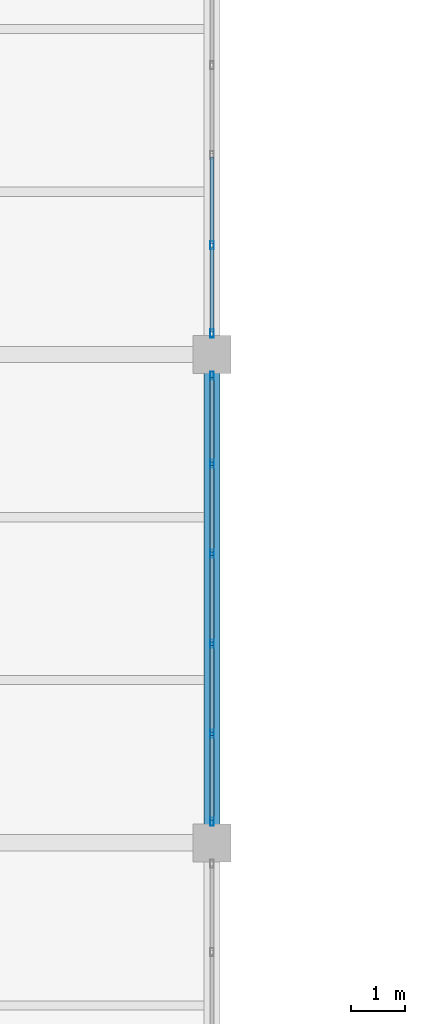
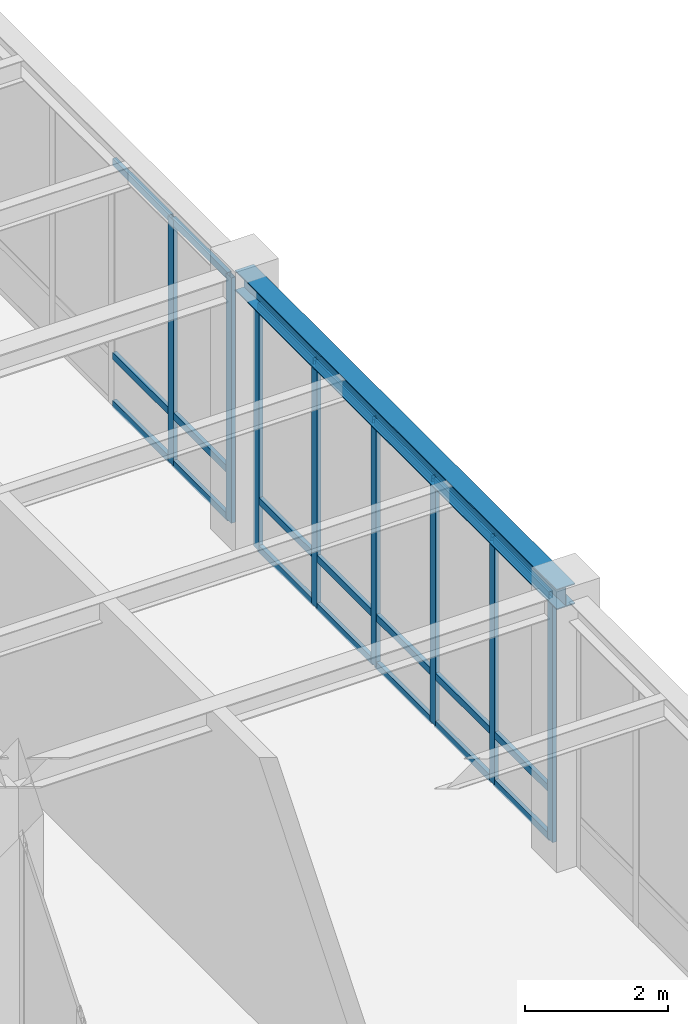
# One storey, part 53 of 92: 29 members, 1 beam, 2 elements without a shape of their own.
"""IFC4 building model written with IfcOpenShell, lengths in metres."""

from ifc_helpers import new_model, si_unit, direction, frame, origin, origin_2d, place, context, subcontext, project, spatial, hollow_rectangle, i_section, extrude, material, material_profile, profile_set, type_object, element, aggregate, save


model = new_model("IFC4")

# Units and contexts
model_context = context("Model", 3, precision=1e-05, world=origin(), true_north=direction((0.0, 1.0)))
body_context = subcontext(model_context, "Body", "Model", "MODEL_VIEW")
ifc_project = project(units=[si_unit("LENGTHUNIT", "METRE"), si_unit("AREAUNIT", "SQUARE_METRE"), si_unit("VOLUMEUNIT", "CUBIC_METRE"), si_unit("PLANEANGLEUNIT", "RADIAN"), si_unit("MASSUNIT", "GRAM", prefix="KILO")], contexts=[model_context])

# Site, building, storey
site_placement = place(None, origin())
site = spatial("IfcSite", under=ifc_project, at=site_placement, CompositionType="ELEMENT")
building_placement = place(site_placement, origin())
building = spatial("IfcBuilding", under=site, at=building_placement, Name="Lykobir Media Centre", CompositionType="ELEMENT")
storey_placement = place(building_placement, frame((0.0, 0.0, 5.39990234375)))
storey = spatial("IfcBuildingStorey", under=building, at=storey_placement, Name="L01", CompositionType="ELEMENT", Elevation=5.39990234375)

# Beam
ifc_material_1 = material(Name="Steel S355", Category="steel")
ifc_material_profile_1 = material_profile(ifc_material_1, i_section(OverallWidth=0.300048828125, OverallDepth=0.35009765625, WebThickness=0.010009765625, FlangeThickness=0.017578125, at=origin_2d()), Name="HEA 360")
ifc_profile_set_1 = profile_set([ifc_material_profile_1], Name="Steel S355")
beam_type = type_object("IfcBeamType", Name="BM-HEA360", PredefinedType="BEAM", material=ifc_profile_set_1)
beam_placement = place(storey_placement, frame((99.0, 45.0, 4.385009765625), z_axis=(0.0, 1.0, 0.0), x_axis=(-1.0, 0.0, 0.0)))
element("IfcBeam", 1, at=beam_placement, inside=storey, type_object=beam_type, Name="Beam BM-L01-0990-0450-0990-0540-978", PredefinedType="BEAM", context=body_context, shape_type="SweptSolid", body=[
    extrude(i_section(OverallWidth=0.300048828125, OverallDepth=0.35009765625, WebThickness=0.010009765625, FlangeThickness=0.017578125, at=origin_2d()), origin(), (0.0, 0.0, 1.0), 9.0),
])

# Curtain wall, members
ifc_material_2 = material(Name="Anodized Aluminium AW-6060", Category="aluminium")
curtain_wall_type = type_object("IfcCurtainWallType", Name="CW-COURT-A", PredefinedType="NOTDEFINED", material=ifc_material_2)
curtain_wall_1_placement = place(storey_placement, origin())
curtain_wall_1 = element("IfcCurtainWall", 2, at=curtain_wall_1_placement, inside=storey, type_object=curtain_wall_type, Name="Curtain wall CW2-L01-0034", PredefinedType="NOTDEFINED")
ifc_material_profile_2 = material_profile(ifc_material_2, hollow_rectangle(XDim=0.06494140625, YDim=0.14990234375, WallThickness=0.00341796875, at=origin_2d()), Name="ALU MULLION 65x150")
ifc_profile_set_2 = profile_set([ifc_material_profile_2], Name="Anodized Aluminium AW-6060")
member_type_1 = type_object("IfcMemberType", Name="CWM-150", PredefinedType="MULLION", material=ifc_profile_set_2)
member_1_placement = place(storey_placement, frame((99.0, 53.612548828125, 0.0), z_axis=(0.0, 0.0, 1.0), x_axis=(1.0, 0.0, 0.0)))
member_1 = element("IfcMember", 3, at=member_1_placement, type_object=member_type_1, Name="CW2-L01-0034 mullion 1", PredefinedType="MULLION", context=body_context, shape_type="SweptSolid", body=[
    extrude(hollow_rectangle(XDim=0.06494140625, YDim=0.14990234375, WallThickness=0.00341796875, at=origin_2d()), origin(), (0.0, 0.0, 1.0), 4.195068359375),
])
member_2_placement = place(storey_placement, frame((99.0, 51.987060546875, 0.0), z_axis=(0.0, 0.0, 1.0), x_axis=(1.0, 0.0, 0.0)))
member_2 = element("IfcMember", 4, at=member_2_placement, type_object=member_type_1, Name="CW2-L01-0034 mullion 2", PredefinedType="MULLION", context=body_context, shape_type="SweptSolid", body=[
    extrude(hollow_rectangle(XDim=0.06494140625, YDim=0.14990234375, WallThickness=0.00341796875, at=origin_2d()), origin(), (0.0, 0.0, 1.0), 4.195068359375),
])
member_3_placement = place(storey_placement, frame((99.0, 50.3291015625, 0.0), z_axis=(0.0, 0.0, 1.0), x_axis=(1.0, 0.0, 0.0)))
member_3 = element("IfcMember", 5, at=member_3_placement, type_object=member_type_1, Name="CW2-L01-0034 mullion 3", PredefinedType="MULLION", context=body_context, shape_type="SweptSolid", body=[
    extrude(hollow_rectangle(XDim=0.06494140625, YDim=0.14990234375, WallThickness=0.00341796875, at=origin_2d()), origin(), (0.0, 0.0, 1.0), 4.195068359375),
])
member_4_placement = place(storey_placement, frame((99.0, 48.6708984375, 0.0), z_axis=(0.0, 0.0, 1.0), x_axis=(1.0, 0.0, 0.0)))
member_4 = element("IfcMember", 6, at=member_4_placement, type_object=member_type_1, Name="CW2-L01-0034 mullion 4", PredefinedType="MULLION", context=body_context, shape_type="SweptSolid", body=[
    extrude(hollow_rectangle(XDim=0.06494140625, YDim=0.14990234375, WallThickness=0.00341796875, at=origin_2d()), origin(), (0.0, 0.0, 1.0), 4.195068359375),
])
member_5_placement = place(storey_placement, frame((99.0, 47.012939453125, 0.0), z_axis=(0.0, 0.0, 1.0), x_axis=(1.0, 0.0, 0.0)))
member_5 = element("IfcMember", 7, at=member_5_placement, type_object=member_type_1, Name="CW2-L01-0034 mullion 5", PredefinedType="MULLION", context=body_context, shape_type="SweptSolid", body=[
    extrude(hollow_rectangle(XDim=0.06494140625, YDim=0.14990234375, WallThickness=0.00341796875, at=origin_2d()), origin(), (0.0, 0.0, 1.0), 4.195068359375),
])
member_6_placement = place(storey_placement, frame((99.0, 45.387451171875, 0.0), z_axis=(0.0, 0.0, 1.0), x_axis=(1.0, 0.0, 0.0)))
member_6 = element("IfcMember", 8, at=member_6_placement, type_object=member_type_1, Name="CW2-L01-0034 mullion 6", PredefinedType="MULLION", context=body_context, shape_type="SweptSolid", body=[
    extrude(hollow_rectangle(XDim=0.06494140625, YDim=0.14990234375, WallThickness=0.00341796875, at=origin_2d()), origin(), (0.0, 0.0, 1.0), 4.195068359375),
])

curtain_wall_2_placement = place(storey_placement, origin())
curtain_wall_2 = element("IfcCurtainWall", 9, at=curtain_wall_2_placement, inside=storey, type_object=curtain_wall_type, Name="Curtain wall CW2-L01-0035", PredefinedType="NOTDEFINED")
member_7_placement = place(storey_placement, frame((99.0, 56.012939453125, 0.0), z_axis=(0.0, 0.0, 1.0), x_axis=(1.0, 0.0, 0.0)))
member_7 = element("IfcMember", 10, at=member_7_placement, type_object=member_type_1, Name="CW2-L01-0035 mullion 5", PredefinedType="MULLION", context=body_context, shape_type="SweptSolid", body=[
    extrude(hollow_rectangle(XDim=0.06494140625, YDim=0.14990234375, WallThickness=0.00341796875, at=origin_2d()), origin(), (0.0, 0.0, 1.0), 4.195068359375),
])
member_8_placement = place(storey_placement, frame((99.0, 54.387451171875, 0.0), z_axis=(0.0, 0.0, 1.0), x_axis=(1.0, 0.0, 0.0)))
member_8 = element("IfcMember", 11, at=member_8_placement, type_object=member_type_1, Name="CW2-L01-0035 mullion 6", PredefinedType="MULLION", context=body_context, shape_type="SweptSolid", body=[
    extrude(hollow_rectangle(XDim=0.06494140625, YDim=0.14990234375, WallThickness=0.00341796875, at=origin_2d()), origin(), (0.0, 0.0, 1.0), 4.195068359375),
])

# Member
ifc_material_profile_3 = material_profile(ifc_material_2, hollow_rectangle(XDim=0.06494140625, YDim=0.1201171875, WallThickness=0.0029296875, at=origin_2d()), Name="ALU TRANSOM 65x120")
ifc_profile_set_3 = profile_set([ifc_material_profile_3], Name="Anodized Aluminium AW-6060")
member_type_2 = type_object("IfcMemberType", Name="CWT-120", PredefinedType="USERDEFINED", material=ifc_profile_set_3)
member_9_placement = place(storey_placement, frame((99.0, 53.580078125, 0.03271484375), z_axis=(0.0, -1.0, 0.0), x_axis=(1.0, 0.0, 0.0)))
member_9 = element("IfcMember", 12, at=member_9_placement, type_object=member_type_2, Name="CW2-L01-0034 transom 1.1", ObjectType="TRANSOM", PredefinedType="USERDEFINED", context=body_context, shape_type="SweptSolid", body=[
    extrude(hollow_rectangle(XDim=0.06494140625, YDim=0.1201171875, WallThickness=0.0029296875, at=origin_2d()), origin(), (0.0, 0.0, 1.0), 1.560546875),
])

member_10_placement = place(storey_placement, frame((99.0, 53.580078125, 0.85009765625), z_axis=(0.0, -1.0, 0.0), x_axis=(1.0, 0.0, 0.0)))
member_10 = element("IfcMember", 13, at=member_10_placement, type_object=member_type_2, Name="CW2-L01-0034 transom 1.2", ObjectType="TRANSOM", PredefinedType="USERDEFINED", context=body_context, shape_type="SweptSolid", body=[
    extrude(hollow_rectangle(XDim=0.06494140625, YDim=0.1201171875, WallThickness=0.0029296875, at=origin_2d()), origin(), (0.0, 0.0, 1.0), 1.560546875),
])

member_11_placement = place(storey_placement, frame((99.0, 53.580078125, 4.16259765625), z_axis=(0.0, -1.0, 0.0), x_axis=(1.0, 0.0, 0.0)))
member_11 = element("IfcMember", 14, at=member_11_placement, type_object=member_type_2, Name="CW2-L01-0034 transom 1.3", ObjectType="TRANSOM", PredefinedType="USERDEFINED", context=body_context, shape_type="SweptSolid", body=[
    extrude(hollow_rectangle(XDim=0.06494140625, YDim=0.1201171875, WallThickness=0.0029296875, at=origin_2d()), origin(), (0.0, 0.0, 1.0), 1.560546875),
])

member_12_placement = place(storey_placement, frame((99.0, 51.95458984375, 0.03271484375), z_axis=(0.0, -1.0, 0.0), x_axis=(1.0, 0.0, 0.0)))
member_12 = element("IfcMember", 15, at=member_12_placement, type_object=member_type_2, Name="CW2-L01-0034 transom 2.1", ObjectType="TRANSOM", PredefinedType="USERDEFINED", context=body_context, shape_type="SweptSolid", body=[
    extrude(hollow_rectangle(XDim=0.06494140625, YDim=0.1201171875, WallThickness=0.0029296875, at=origin_2d()), origin(), (0.0, 0.0, 1.0), 1.593017578125),
])

member_13_placement = place(storey_placement, frame((99.0, 51.95458984375, 0.85009765625), z_axis=(0.0, -1.0, 0.0), x_axis=(1.0, 0.0, 0.0)))
member_13 = element("IfcMember", 16, at=member_13_placement, type_object=member_type_2, Name="CW2-L01-0034 transom 2.2", ObjectType="TRANSOM", PredefinedType="USERDEFINED", context=body_context, shape_type="SweptSolid", body=[
    extrude(hollow_rectangle(XDim=0.06494140625, YDim=0.1201171875, WallThickness=0.0029296875, at=origin_2d()), origin(), (0.0, 0.0, 1.0), 1.593017578125),
])

member_14_placement = place(storey_placement, frame((99.0, 51.95458984375, 4.16259765625), z_axis=(0.0, -1.0, 0.0), x_axis=(1.0, 0.0, 0.0)))
member_14 = element("IfcMember", 17, at=member_14_placement, type_object=member_type_2, Name="CW2-L01-0034 transom 2.3", ObjectType="TRANSOM", PredefinedType="USERDEFINED", context=body_context, shape_type="SweptSolid", body=[
    extrude(hollow_rectangle(XDim=0.06494140625, YDim=0.1201171875, WallThickness=0.0029296875, at=origin_2d()), origin(), (0.0, 0.0, 1.0), 1.593017578125),
])

member_15_placement = place(storey_placement, frame((99.0, 50.29638671875, 0.03271484375), z_axis=(0.0, -1.0, 0.0), x_axis=(1.0, 0.0, 0.0)))
member_15 = element("IfcMember", 18, at=member_15_placement, type_object=member_type_2, Name="CW2-L01-0034 transom 3.1", ObjectType="TRANSOM", PredefinedType="USERDEFINED", context=body_context, shape_type="SweptSolid", body=[
    extrude(hollow_rectangle(XDim=0.06494140625, YDim=0.1201171875, WallThickness=0.0029296875, at=origin_2d()), origin(), (0.0, 0.0, 1.0), 1.5927734375),
])

member_16_placement = place(storey_placement, frame((99.0, 50.29638671875, 0.85009765625), z_axis=(0.0, -1.0, 0.0), x_axis=(1.0, 0.0, 0.0)))
member_16 = element("IfcMember", 19, at=member_16_placement, type_object=member_type_2, Name="CW2-L01-0034 transom 3.2", ObjectType="TRANSOM", PredefinedType="USERDEFINED", context=body_context, shape_type="SweptSolid", body=[
    extrude(hollow_rectangle(XDim=0.06494140625, YDim=0.1201171875, WallThickness=0.0029296875, at=origin_2d()), origin(), (0.0, 0.0, 1.0), 1.5927734375),
])

member_17_placement = place(storey_placement, frame((99.0, 50.29638671875, 4.16259765625), z_axis=(0.0, -1.0, 0.0), x_axis=(1.0, 0.0, 0.0)))
member_17 = element("IfcMember", 20, at=member_17_placement, type_object=member_type_2, Name="CW2-L01-0034 transom 3.3", ObjectType="TRANSOM", PredefinedType="USERDEFINED", context=body_context, shape_type="SweptSolid", body=[
    extrude(hollow_rectangle(XDim=0.06494140625, YDim=0.1201171875, WallThickness=0.0029296875, at=origin_2d()), origin(), (0.0, 0.0, 1.0), 1.5927734375),
])

member_18_placement = place(storey_placement, frame((99.0, 48.638427734375, 0.03271484375), z_axis=(0.0, -1.0, 0.0), x_axis=(1.0, 0.0, 0.0)))
member_18 = element("IfcMember", 21, at=member_18_placement, type_object=member_type_2, Name="CW2-L01-0034 transom 4.1", ObjectType="TRANSOM", PredefinedType="USERDEFINED", context=body_context, shape_type="SweptSolid", body=[
    extrude(hollow_rectangle(XDim=0.06494140625, YDim=0.1201171875, WallThickness=0.0029296875, at=origin_2d()), origin(), (0.0, 0.0, 1.0), 1.593017578125),
])

member_19_placement = place(storey_placement, frame((99.0, 48.638427734375, 0.85009765625), z_axis=(0.0, -1.0, 0.0), x_axis=(1.0, 0.0, 0.0)))
member_19 = element("IfcMember", 22, at=member_19_placement, type_object=member_type_2, Name="CW2-L01-0034 transom 4.2", ObjectType="TRANSOM", PredefinedType="USERDEFINED", context=body_context, shape_type="SweptSolid", body=[
    extrude(hollow_rectangle(XDim=0.06494140625, YDim=0.1201171875, WallThickness=0.0029296875, at=origin_2d()), origin(), (0.0, 0.0, 1.0), 1.593017578125),
])

member_20_placement = place(storey_placement, frame((99.0, 48.638427734375, 4.16259765625), z_axis=(0.0, -1.0, 0.0), x_axis=(1.0, 0.0, 0.0)))
member_20 = element("IfcMember", 23, at=member_20_placement, type_object=member_type_2, Name="CW2-L01-0034 transom 4.3", ObjectType="TRANSOM", PredefinedType="USERDEFINED", context=body_context, shape_type="SweptSolid", body=[
    extrude(hollow_rectangle(XDim=0.06494140625, YDim=0.1201171875, WallThickness=0.0029296875, at=origin_2d()), origin(), (0.0, 0.0, 1.0), 1.593017578125),
])

member_21_placement = place(storey_placement, frame((99.0, 46.98046875, 0.03271484375), z_axis=(0.0, -1.0, 0.0), x_axis=(1.0, 0.0, 0.0)))
member_21 = element("IfcMember", 24, at=member_21_placement, type_object=member_type_2, Name="CW2-L01-0034 transom 5.1", ObjectType="TRANSOM", PredefinedType="USERDEFINED", context=body_context, shape_type="SweptSolid", body=[
    extrude(hollow_rectangle(XDim=0.06494140625, YDim=0.1201171875, WallThickness=0.0029296875, at=origin_2d()), origin(), (0.0, 0.0, 1.0), 1.560546875),
])

member_22_placement = place(storey_placement, frame((99.0, 46.98046875, 0.85009765625), z_axis=(0.0, -1.0, 0.0), x_axis=(1.0, 0.0, 0.0)))
member_22 = element("IfcMember", 25, at=member_22_placement, type_object=member_type_2, Name="CW2-L01-0034 transom 5.2", ObjectType="TRANSOM", PredefinedType="USERDEFINED", context=body_context, shape_type="SweptSolid", body=[
    extrude(hollow_rectangle(XDim=0.06494140625, YDim=0.1201171875, WallThickness=0.0029296875, at=origin_2d()), origin(), (0.0, 0.0, 1.0), 1.560546875),
])

member_23_placement = place(storey_placement, frame((99.0, 46.98046875, 4.16259765625), z_axis=(0.0, -1.0, 0.0), x_axis=(1.0, 0.0, 0.0)))
member_23 = element("IfcMember", 26, at=member_23_placement, type_object=member_type_2, Name="CW2-L01-0034 transom 5.3", ObjectType="TRANSOM", PredefinedType="USERDEFINED", context=body_context, shape_type="SweptSolid", body=[
    extrude(hollow_rectangle(XDim=0.06494140625, YDim=0.1201171875, WallThickness=0.0029296875, at=origin_2d()), origin(), (0.0, 0.0, 1.0), 1.560546875),
])

aggregate(curtain_wall_1, [member_1, member_2, member_3, member_4, member_5, member_6, member_9, member_10, member_11, member_12, member_13, member_14, member_15, member_16, member_17, member_18, member_19, member_20, member_21, member_22, member_23])

member_24_placement = place(storey_placement, frame((99.0, 57.638427734375, 0.03271484375), z_axis=(0.0, -1.0, 0.0), x_axis=(1.0, 0.0, 0.0)))
member_24 = element("IfcMember", 27, at=member_24_placement, type_object=member_type_2, Name="CW2-L01-0035 transom 4.1", ObjectType="TRANSOM", PredefinedType="USERDEFINED", context=body_context, shape_type="SweptSolid", body=[
    extrude(hollow_rectangle(XDim=0.06494140625, YDim=0.1201171875, WallThickness=0.0029296875, at=origin_2d()), origin(), (0.0, 0.0, 1.0), 1.593017578125),
])

member_25_placement = place(storey_placement, frame((99.0, 57.638427734375, 0.85009765625), z_axis=(0.0, -1.0, 0.0), x_axis=(1.0, 0.0, 0.0)))
member_25 = element("IfcMember", 28, at=member_25_placement, type_object=member_type_2, Name="CW2-L01-0035 transom 4.2", ObjectType="TRANSOM", PredefinedType="USERDEFINED", context=body_context, shape_type="SweptSolid", body=[
    extrude(hollow_rectangle(XDim=0.06494140625, YDim=0.1201171875, WallThickness=0.0029296875, at=origin_2d()), origin(), (0.0, 0.0, 1.0), 1.593017578125),
])

member_26_placement = place(storey_placement, frame((99.0, 57.638427734375, 4.16259765625), z_axis=(0.0, -1.0, 0.0), x_axis=(1.0, 0.0, 0.0)))
member_26 = element("IfcMember", 29, at=member_26_placement, type_object=member_type_2, Name="CW2-L01-0035 transom 4.3", ObjectType="TRANSOM", PredefinedType="USERDEFINED", context=body_context, shape_type="SweptSolid", body=[
    extrude(hollow_rectangle(XDim=0.06494140625, YDim=0.1201171875, WallThickness=0.0029296875, at=origin_2d()), origin(), (0.0, 0.0, 1.0), 1.593017578125),
])

member_27_placement = place(storey_placement, frame((99.0, 55.98046875, 0.03271484375), z_axis=(0.0, -1.0, 0.0), x_axis=(1.0, 0.0, 0.0)))
member_27 = element("IfcMember", 30, at=member_27_placement, type_object=member_type_2, Name="CW2-L01-0035 transom 5.1", ObjectType="TRANSOM", PredefinedType="USERDEFINED", context=body_context, shape_type="SweptSolid", body=[
    extrude(hollow_rectangle(XDim=0.06494140625, YDim=0.1201171875, WallThickness=0.0029296875, at=origin_2d()), origin(), (0.0, 0.0, 1.0), 1.560546875),
])

member_28_placement = place(storey_placement, frame((99.0, 55.98046875, 0.85009765625), z_axis=(0.0, -1.0, 0.0), x_axis=(1.0, 0.0, 0.0)))
member_28 = element("IfcMember", 31, at=member_28_placement, type_object=member_type_2, Name="CW2-L01-0035 transom 5.2", ObjectType="TRANSOM", PredefinedType="USERDEFINED", context=body_context, shape_type="SweptSolid", body=[
    extrude(hollow_rectangle(XDim=0.06494140625, YDim=0.1201171875, WallThickness=0.0029296875, at=origin_2d()), origin(), (0.0, 0.0, 1.0), 1.560546875),
])

member_29_placement = place(storey_placement, frame((99.0, 55.98046875, 4.16259765625), z_axis=(0.0, -1.0, 0.0), x_axis=(1.0, 0.0, 0.0)))
member_29 = element("IfcMember", 32, at=member_29_placement, type_object=member_type_2, Name="CW2-L01-0035 transom 5.3", ObjectType="TRANSOM", PredefinedType="USERDEFINED", context=body_context, shape_type="SweptSolid", body=[
    extrude(hollow_rectangle(XDim=0.06494140625, YDim=0.1201171875, WallThickness=0.0029296875, at=origin_2d()), origin(), (0.0, 0.0, 1.0), 1.560546875),
])

aggregate(curtain_wall_2, [member_7, member_8, member_24, member_25, member_26, member_27, member_28, member_29])

save(model, "model.ifc")
